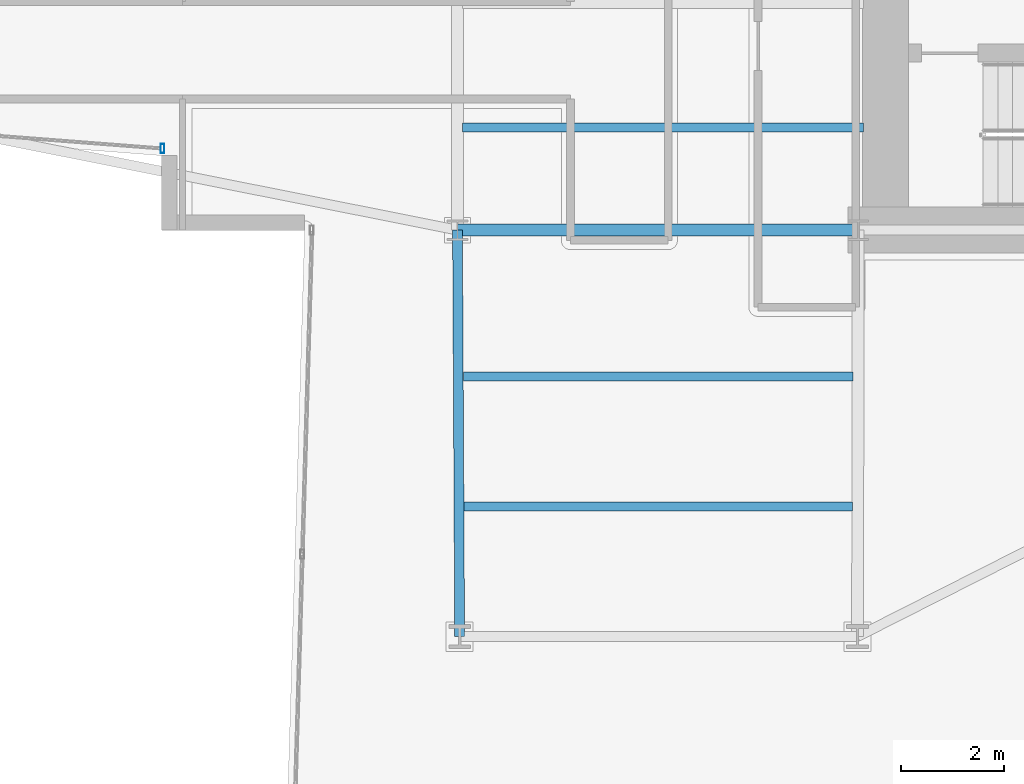
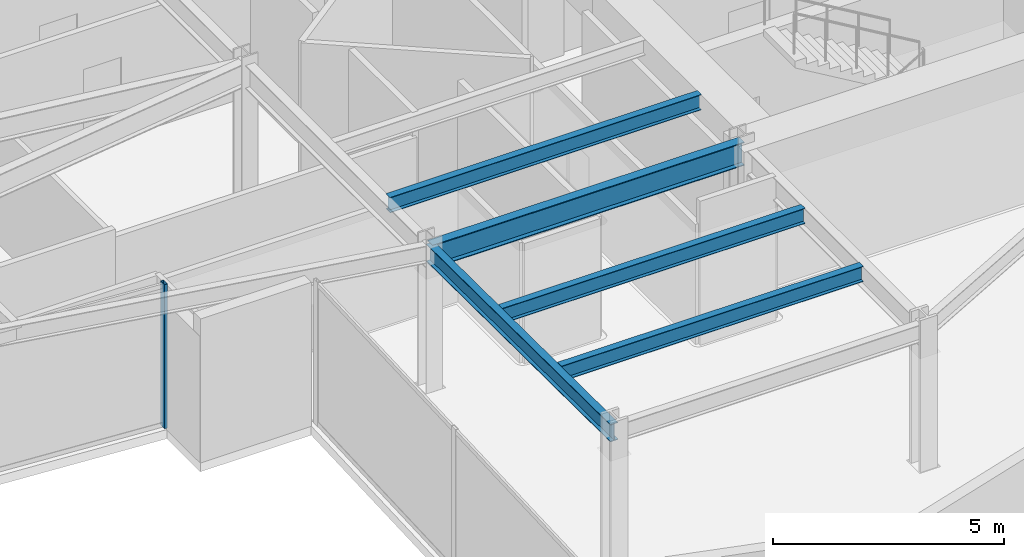
# One storey, part 5 of 30: 5 beams, 1 member, 1 element without a shape of its own.
"""IFC4 building model written with IfcOpenShell, lengths in metres."""

from ifc_helpers import new_model, si_unit, direction, frame, origin, origin_2d, place, context, subcontext, project, spatial, hollow_rectangle, i_section, extrude, material, layer, layer_set, material_profile, profile_set, type_object, element, aggregate, save


model = new_model("IFC4")

# Units and contexts
model_context = context("Model", 3, precision=1e-05, world=origin(), true_north=direction((0.0, 1.0)))
body_context = subcontext(model_context, "Body", "Model", "MODEL_VIEW")
ifc_project = project(units=[si_unit("LENGTHUNIT", "METRE"), si_unit("AREAUNIT", "SQUARE_METRE"), si_unit("VOLUMEUNIT", "CUBIC_METRE"), si_unit("PLANEANGLEUNIT", "RADIAN"), si_unit("MASSUNIT", "GRAM", prefix="KILO")], contexts=[model_context])

# Site, building, storey
site_placement = place(None, origin())
site = spatial("IfcSite", under=ifc_project, at=site_placement, CompositionType="ELEMENT")
building_placement = place(site_placement, origin())
building = spatial("IfcBuilding", under=site, at=building_placement, Name="Veymaron Broadcast Tower", CompositionType="ELEMENT")
storey_placement = place(building_placement, frame((0.0, 0.0, 37.800048828125)))
storey = spatial("IfcBuildingStorey", under=building, at=storey_placement, Name="L07", CompositionType="ELEMENT", Elevation=37.800048828125)

# Beams
ifc_material_1 = material(Name="Structural steel ASTM A992 Gr 50", Category="steel")
ifc_material_profile_1 = material_profile(ifc_material_1, i_section(OverallWidth=0.22998046875, OverallDepth=0.616943359375, WebThickness=0.01318359375, FlangeThickness=0.022216796875, at=origin_2d()), Name="W610X140")
ifc_profile_set_1 = profile_set([ifc_material_profile_1], Name="Structural steel ASTM A992 Gr 50")
beam_type_1 = type_object("IfcBeamType", Name="BM-FG1", PredefinedType="BEAM", material=ifc_profile_set_1)
beam_1_placement = place(storey_placement, frame((31.199951171875, 16.0, 3.50146484375), z_axis=(1.0, 0.0, 0.0), x_axis=(0.0, 1.0, 0.0)))
element("IfcBeam", 1, at=beam_1_placement, inside=storey, type_object=beam_type_1, Name="L07 primary structural floor girder", PredefinedType="BEAM", context=body_context, shape_type="SweptSolid", body=[
    extrude(i_section(OverallWidth=0.22998046875, OverallDepth=0.616943359375, WebThickness=0.01318359375, FlangeThickness=0.022216796875, at=origin_2d()), origin(), (0.0, 0.0, 1.0), 7.800048828125),
])
ifc_material_profile_2 = material_profile(ifc_material_1, i_section(OverallWidth=0.177978515625, OverallDepth=0.406982421875, WebThickness=0.0078125, FlangeThickness=0.0126953125, at=origin_2d()), Name="W410X60")
ifc_profile_set_2 = profile_set([ifc_material_profile_2], Name="Structural steel ASTM A992 Gr 50")
beam_type_2 = type_object("IfcBeamType", Name="BM-JS1", PredefinedType="JOIST", material=ifc_profile_set_2)
beam_2_placement = place(storey_placement, frame((31.315185546875, 13.15234375, 3.6064453125), z_axis=(1.0, 0.0, 0.0), x_axis=(0.0, 1.0, 0.0)))
element("IfcBeam", 2, at=beam_2_placement, inside=storey, type_object=beam_type_2, Name="L07 Arm-C secondary joist 1", PredefinedType="JOIST", context=body_context, shape_type="SweptSolid", body=[
    extrude(i_section(OverallWidth=0.177978515625, OverallDepth=0.406982421875, WebThickness=0.0078125, FlangeThickness=0.0126953125, at=origin_2d()), origin(), (0.0, 0.0, 1.0), 7.579345703125),
])
beam_3_placement = place(storey_placement, frame((31.32861328125, 10.62109375, 3.6064453125), z_axis=(1.0, 0.0, 0.0), x_axis=(0.0, 1.0, 0.0)))
element("IfcBeam", 3, at=beam_3_placement, inside=storey, type_object=beam_type_2, Name="L07 Arm-C secondary joist 2", PredefinedType="JOIST", context=body_context, shape_type="SweptSolid", body=[
    extrude(i_section(OverallWidth=0.177978515625, OverallDepth=0.406982421875, WebThickness=0.0078125, FlangeThickness=0.0126953125, at=origin_2d()), origin(), (0.0, 0.0, 1.0), 7.561279296875),
])
beam_4_placement = place(storey_placement, frame((31.300048828125, 18.0, 3.6064453125), z_axis=(1.0, 0.0, 0.0), x_axis=(0.0, 1.0, 0.0)))
element("IfcBeam", 4, at=beam_4_placement, inside=storey, type_object=beam_type_2, Name="L07 Hub secondary joist 1", PredefinedType="JOIST", context=body_context, shape_type="SweptSolid", body=[
    extrude(i_section(OverallWidth=0.177978515625, OverallDepth=0.406982421875, WebThickness=0.0078125, FlangeThickness=0.0126953125, at=origin_2d()), origin(), (0.0, 0.0, 1.0), 7.800048828125),
])
ifc_material_profile_3 = material_profile(ifc_material_1, i_section(OverallWidth=0.19091796875, OverallDepth=0.4599609375, WebThickness=0.010009765625, FlangeThickness=0.01611328125, at=origin_2d()), Name="W460X82")
ifc_profile_set_3 = profile_set([ifc_material_profile_3], Name="Structural steel ASTM A992 Gr 50")
beam_type_3 = type_object("IfcBeamType", Name="BM-SP1", PredefinedType="SPANDREL", material=ifc_profile_set_3)
beam_5_placement = place(storey_placement, frame((31.199951171875, 16.0, 3.579833984375), z_axis=(0.005308731019, -0.999985908588, 0.0), x_axis=(0.999985908588, 0.005308731019, 0.0)))
element("IfcBeam", 5, at=beam_5_placement, inside=storey, type_object=beam_type_3, Name="L07 primary structural floor girder", PredefinedType="SPANDREL", context=body_context, shape_type="SweptSolid", body=[
    extrude(i_section(OverallWidth=0.19091796875, OverallDepth=0.4599609375, WebThickness=0.010009765625, FlangeThickness=0.01611328125, at=origin_2d()), origin(), (0.0, 0.0, 1.0), 7.909912109375),
])

# Curtain wall, member
ifc_material_2 = material(Name="Anodised aluminium AA 6063-T6 and laminated low-E dark glass", Category="aluminium")
ifc_layer = layer(ifc_material_2, 0.179931640625)
ifc_layer_set = layer_set([ifc_layer], Name="Anodised aluminium AA 6063-T6 and laminated low-E dark glass")
curtain_wall_type = type_object("IfcCurtainWallType", Name="CW-SYS-02", PredefinedType="NOTDEFINED", material=ifc_layer_set)
curtain_wall_placement = place(storey_placement, origin())
curtain_wall = element("IfcCurtainWall", 6, at=curtain_wall_placement, inside=storey, type_object=curtain_wall_type, Name="L07 dark-glass curtain wall CW-L07-E14-1", PredefinedType="NOTDEFINED")
ifc_material_3 = material(Name="Anodised aluminium AA 6063-T6", Category="aluminium")
ifc_material_profile_4 = material_profile(ifc_material_3, hollow_rectangle(XDim=0.074951171875, YDim=0.179931640625, WallThickness=0.0048828125, at=origin_2d()), Name="AL180X75X5")
ifc_profile_set_4 = profile_set([ifc_material_profile_4], Name="Anodised aluminium AA 6063-T6")
member_type = type_object("IfcMemberType", Name="CW-MUL-02", PredefinedType="MULLION", material=ifc_profile_set_4)
member_placement = place(storey_placement, frame((25.458740234375, 17.587890625, 0.0), z_axis=(0.0, 0.0, 1.0), x_axis=(1.0, 0.0, 0.0)))
member = element("IfcMember", 7, at=member_placement, type_object=member_type, Name="CW-L07-E14-1 mullion 3", PredefinedType="MULLION", context=body_context, shape_type="SweptSolid", body=[
    extrude(hollow_rectangle(XDim=0.074951171875, YDim=0.179931640625, WallThickness=0.0048828125, at=origin_2d()), origin(), (0.0, 0.0, 1.0), 3.81005859375),
])
aggregate(curtain_wall, [member])

save(model, "model.ifc")
